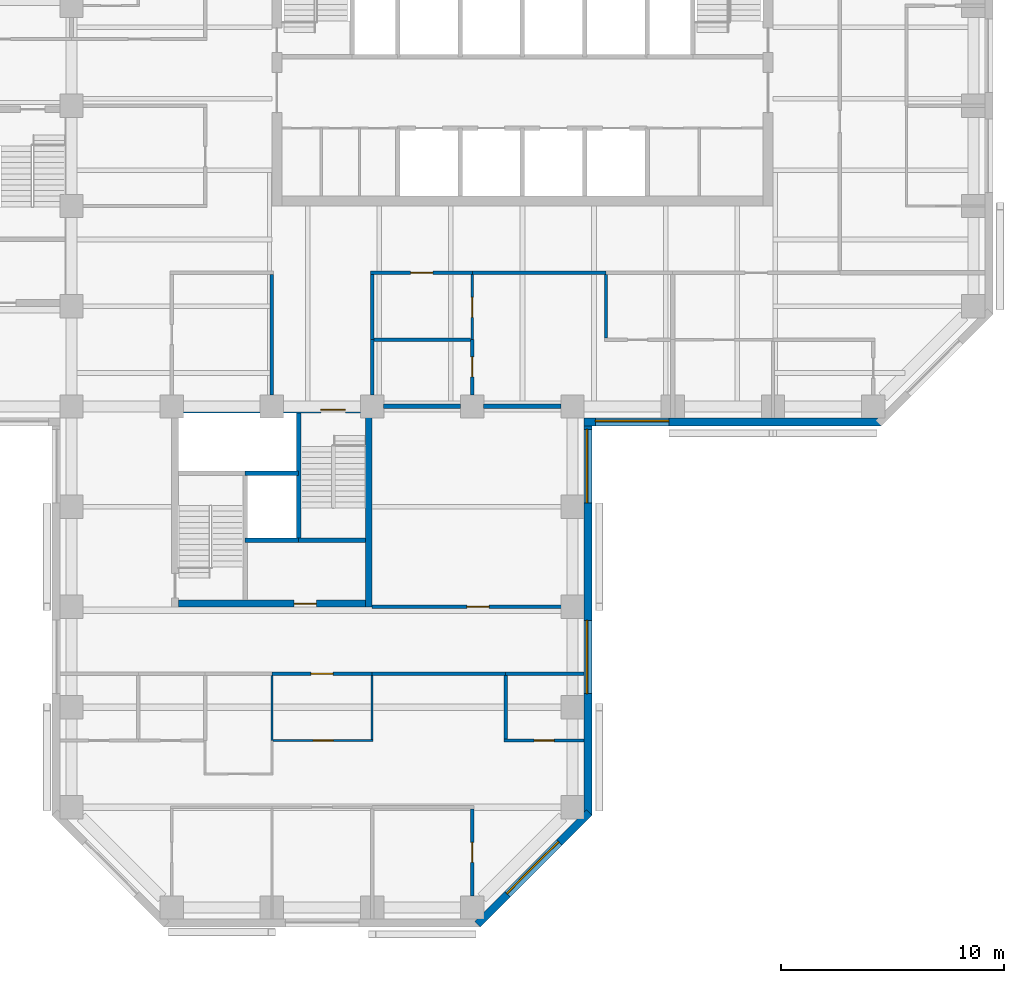
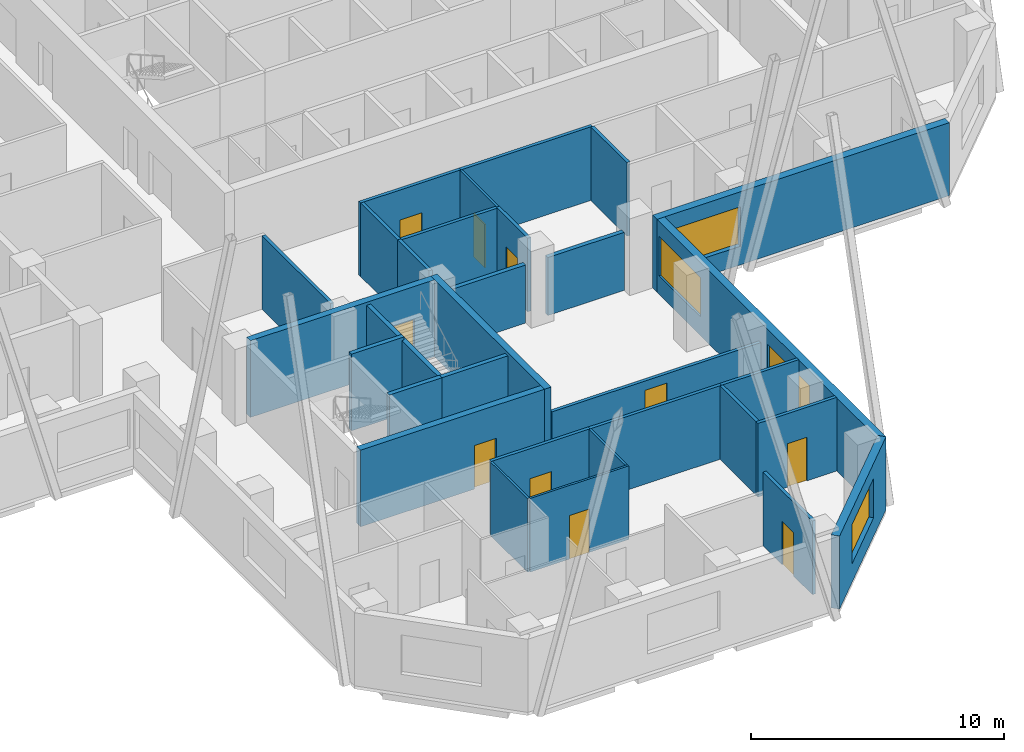
# One storey, part 4 of 11: 31 walls, 10 doors, 4 windows, 14 openings.
"""IFC4 building model written with IfcOpenShell, lengths in metres."""

import ifcopenshell
import ifcopenshell.guid

model = None  # the IFC model being written
_history = None  # IfcOwnerHistory: only IFC2X3 demands one
_inside = {}  # id of a spatial element -> (the spatial element, [elements in it])
_under = {}  # id of a project, library or spatial element -> (it, [spatial elements below it])
_declared = {}  # id of a project -> (the project, [libraries it declares])
_typed = {}  # id of a type object -> (the type object, [elements of that type])
_made_of = {}  # id of a material, layer set ... -> (it, [elements and type objects made of it])


def new_model(schema):
    """Start an empty IFC model of exactly this schema.

    Asked for "IFC4X3", IfcOpenShell would pick the latest addendum, in which some entities
    have other attributes; the version numbers below select the first issue.
    IFC2X3 requires an IfcOwnerHistory on every rooted entity: one is made here for all.
    """
    global model, _history
    if schema == "IFC4X3":
        model = ifcopenshell.file(schema_version=(4, 3, 0, 0))
    else:
        model = ifcopenshell.file(schema=schema)
    _inside.clear()
    _under.clear()
    _declared.clear()
    _typed.clear()
    _made_of.clear()
    _history = None
    if model.schema == "IFC2X3":
        org = make("IfcOrganization", Name="unknown")
        user = make(
            "IfcPersonAndOrganization",
            ThePerson=make("IfcPerson", FamilyName="unknown"),
            TheOrganization=org,
        )
        app = make(
            "IfcApplication",
            ApplicationDeveloper=org,
            Version="unknown",
            ApplicationFullName="unknown",
            ApplicationIdentifier="unknown",
        )
        _history = make(
            "IfcOwnerHistory",
            OwningUser=user,
            OwningApplication=app,
            ChangeAction="ADDED",
            CreationDate=0,
        )
    return model


def make(cls, **values):
    """One entity of the class cls with the attributes given. An attribute that is None is left unset."""
    return model.create_entity(
        cls, **{name: value for name, value in values.items() if value is not None}
    )


def rooted(cls, **values):
    """An entity with a GlobalId (a new one), such as an element, a storey or a relation."""
    return make(cls, GlobalId=ifcopenshell.guid.new(), OwnerHistory=_history, **values)


def si_unit(unit_type, name, prefix=None):
    """IfcSIUnit, for example si_unit("LENGTHUNIT", "METRE", prefix="MILLI")."""
    return make("IfcSIUnit", UnitType=unit_type, Prefix=prefix, Name=name)


def assignment(units):
    """IfcUnitAssignment: the units of a project."""
    return None if units is None else make("IfcUnitAssignment", Units=units)


def point(xyz):
    """IfcCartesianPoint."""
    return None if xyz is None else make("IfcCartesianPoint", Coordinates=xyz)


def direction(xyz):
    """IfcDirection."""
    return None if xyz is None else make("IfcDirection", DirectionRatios=xyz)


def frame(location, z_axis=None, x_axis=None):
    """IfcAxis2Placement3D, a coordinate frame: its origin and axes. An axis left out is left unset."""
    return make(
        "IfcAxis2Placement3D",
        Location=point(location),
        Axis=direction(z_axis),
        RefDirection=direction(x_axis),
    )


def frame_2d(location, x_axis=None):
    """IfcAxis2Placement2D, a coordinate frame in the plane: its origin and x axis."""
    return make(
        "IfcAxis2Placement2D", Location=point(location), RefDirection=direction(x_axis)
    )


def origin():
    """The frame at (0, 0, 0) with its axes left unset."""
    return frame((0.0, 0.0, 0.0))


def place(relative_to, where):
    """IfcLocalPlacement: puts the frame where relative to a parent placement (None: the world)."""
    return make(
        "IfcLocalPlacement", PlacementRelTo=relative_to, RelativePlacement=where
    )


def context(
    kind, dimensions, precision=None, world=None, true_north=None, identifier=None
):
    """IfcGeometricRepresentationContext, for example the 3D "Model" context."""
    return make(
        "IfcGeometricRepresentationContext",
        ContextIdentifier=identifier,
        ContextType=kind,
        CoordinateSpaceDimension=dimensions,
        Precision=precision,
        WorldCoordinateSystem=world,
        TrueNorth=true_north,
    )


def subcontext(parent, identifier, kind, view, scale=None):
    """IfcGeometricRepresentationSubContext, for example "Body" below "Model"."""
    return make(
        "IfcGeometricRepresentationSubContext",
        ContextIdentifier=identifier,
        ContextType=kind,
        ParentContext=parent,
        TargetScale=scale,
        TargetView=view,
    )


def project(units=None, contexts=None):
    """IfcProject with its units and contexts."""
    return rooted(
        "IfcProject",
        Name="project",
        RepresentationContexts=contexts,
        UnitsInContext=assignment(units),
    )


def spatial(cls, under=None, at=None, **own):
    """A site, building, storey or space (cls), placed at a placement, below another one or the project."""
    s = rooted(cls, ObjectPlacement=at, **own)
    if under is not None:
        _under.setdefault(under.id(), (under, []))[1].append(s)
    return s


def profile(cls, at=None, kind="AREA", **sizes):
    """A parametric profile (cls). Its sizes go by their IFC names, for example OverallWidth=200.0."""
    return make(cls, ProfileType=kind, Position=at, **sizes)


def rectangle(**sizes):
    """IfcRectangleProfileDef."""
    return profile("IfcRectangleProfileDef", **sizes)


def extrude(swept, where, along, depth):
    """IfcExtrudedAreaSolid: the profile swept, set in the frame where, extruded along a direction by depth."""
    return make(
        "IfcExtrudedAreaSolid",
        SweptArea=swept,
        Position=where,
        ExtrudedDirection=direction(along),
        Depth=depth,
    )


def shape(context_of_items, identifier, shape_type, items):
    """IfcShapeRepresentation: the items that make up one representation, for example the "Body"."""
    return make(
        "IfcShapeRepresentation",
        ContextOfItems=context_of_items,
        RepresentationIdentifier=identifier,
        RepresentationType=shape_type,
        Items=items,
    )


def material(Name=None, Category=None):
    """IfcMaterial."""
    return make("IfcMaterial", Name=Name, Category=Category)


def layer(
    of_material, thickness, ventilated=None, Name=None, Category=None, Priority=None
):
    """IfcMaterialLayer: one layer of a wall or slab, of a material (None: an air gap)."""
    return make(
        "IfcMaterialLayer",
        Material=of_material,
        LayerThickness=thickness,
        IsVentilated=ventilated,
        Name=Name,
        Category=Category,
        Priority=Priority,
    )


def layer_set(layers, Name=None):
    """IfcMaterialLayerSet."""
    return make("IfcMaterialLayerSet", MaterialLayers=layers, LayerSetName=Name)


def constituent(of_material, Name=None, Category=None, fraction=None):
    """IfcMaterialConstituent: one of the materials an element consists of."""
    return make(
        "IfcMaterialConstituent",
        Name=Name,
        Material=of_material,
        Fraction=fraction,
        Category=Category,
    )


def constituent_set(constituents=None, Name=None):
    """IfcMaterialConstituentSet."""
    return make(
        "IfcMaterialConstituentSet", Name=Name, MaterialConstituents=constituents
    )


def made_of(thing, what):
    """Note that an element or type object is made of a material, layer set ...; save() writes the relation."""
    if what is not None:
        _made_of.setdefault(what.id(), (what, []))[1].append(thing)
    return thing


def type_object(cls, material=None, **own):
    """A type object (cls), such as IfcWallType, which elements share."""
    return made_of(rooted(cls, **own), material)


def element(
    cls,
    number,
    at=None,
    inside=None,
    cuts=None,
    type_object=None,
    material=None,
    context=None,
    identifier="Body",
    shape_type=None,
    held_by="IfcProductDefinitionShape",
    body=None,
    shapes=None,
    **own,
):
    """One element of the class cls, such as IfcWall. Its Tag is "e" and its number.

    at: its placement. inside: the storey or other place that contains it. cuts: it is an
    opening in that element (IfcRelVoidsElement). A single representation is given by context,
    identifier, shape_type and body (its items); several are given by shapes. held_by: the class
    of the entity that holds the representations. save() writes the other relations.
    """
    e = rooted(cls, Tag="e%d" % number, ObjectPlacement=at, **own)
    if body is not None:
        shapes = [shape(context, identifier, shape_type, body)]
    if shapes is not None:
        e.Representation = make(held_by, Representations=shapes)
    if inside is not None:
        _inside.setdefault(inside.id(), (inside, []))[1].append(e)
    if cuts is not None:
        rooted(
            "IfcRelVoidsElement", RelatingBuildingElement=cuts, RelatedOpeningElement=e
        )
    if type_object is not None:
        _typed.setdefault(type_object.id(), (type_object, []))[1].append(e)
    return made_of(e, material)


def fill(opening, filler):
    """IfcRelFillsElement: the door or window that sits in an opening."""
    return rooted(
        "IfcRelFillsElement",
        RelatingOpeningElement=opening,
        RelatedBuildingElement=filler,
    )


def aggregate(whole, parts):
    """IfcRelAggregates: a whole, such as a stair, and the parts it consists of."""
    return rooted("IfcRelAggregates", RelatingObject=whole, RelatedObjects=parts)


def save(model, path):
    """Write the relations noted so far, then the file.

    IfcRelAggregates (storeys below a building ...), IfcRelContainedInSpatialStructure (elements
    in a storey), IfcRelDefinesByType, IfcRelAssociatesMaterial and IfcRelDeclares: one each for
    every whole, place, type object, material and project.
    """
    for whole, parts in _under.values():
        aggregate(whole, parts)
    for where, things in _inside.values():
        rooted(
            "IfcRelContainedInSpatialStructure",
            RelatedElements=things,
            RelatingStructure=where,
        )
    for kind, things in _typed.values():
        rooted("IfcRelDefinesByType", RelatedObjects=things, RelatingType=kind)
    for what, things in _made_of.values():
        rooted("IfcRelAssociatesMaterial", RelatedObjects=things, RelatingMaterial=what)
    for by, libraries in _declared.values():
        rooted("IfcRelDeclares", RelatingContext=by, RelatedDefinitions=libraries)
    model.write(path)


model = new_model("IFC4")

# Units and contexts
model_context = context("Model", 3, precision=1e-05, world=origin(), true_north=direction((0.0, 1.0)))
body_context = subcontext(model_context, "Body", "Model", "MODEL_VIEW")
ifc_project = project(units=[si_unit("LENGTHUNIT", "METRE"), si_unit("AREAUNIT", "SQUARE_METRE"), si_unit("VOLUMEUNIT", "CUBIC_METRE"), si_unit("PLANEANGLEUNIT", "RADIAN"), si_unit("MASSUNIT", "GRAM", prefix="KILO")], contexts=[model_context])

# Site, building, storey
site_placement = place(None, origin())
site = spatial("IfcSite", under=ifc_project, at=site_placement, CompositionType="ELEMENT")
building_placement = place(site_placement, origin())
building = spatial("IfcBuilding", under=site, at=building_placement, Name="Quoin Convention Tower", CompositionType="ELEMENT")
storey_placement = place(building_placement, frame((0.0, 0.0, 127.0)))
storey = spatial("IfcBuildingStorey", under=building, at=storey_placement, Name="L33", CompositionType="ELEMENT", Elevation=127.0)

# Wall
ifc_material_1 = material(Name="Plasterboard")
ifc_layer_1 = layer(ifc_material_1, 0.012451171875, Name="Finish")
ifc_material_2 = material(Name="Steel stud framing", Category="steel")
ifc_layer_2 = layer(ifc_material_2, 0.125, Name="Structure")
ifc_layer_3 = layer(ifc_material_1, 0.012451171875, Name="Finish")
ifc_layer_set_1 = layer_set([ifc_layer_1, ifc_layer_2, ifc_layer_3], Name="Steel stud framing")
wall_type_1 = type_object("IfcWallType", Name="Acoustic partition 150", PredefinedType="PARTITIONING", material=ifc_layer_set_1)
wall_1_placement = place(storey_placement, frame((49.574951171875, 43.5, 0.0), z_axis=(0.0, 0.0, 1.0), x_axis=(1.0, 0.0, 0.0)))
element("IfcWall", 1, at=wall_1_placement, inside=storey, type_object=wall_type_1, Name="pw-L33-019", PredefinedType="PARTITIONING", context=body_context, shape_type="SweptSolid", body=[
    extrude(rectangle(XDim=4.35009765625, YDim=0.14990234375, at=frame_2d((2.175048828125, 0.0))), origin(), (0.0, 0.0, 1.0), 3.550048828125),
])

# Wall, opening, door
wall_2_placement = place(storey_placement, frame((54.0, 18.52490234375, 0.0), z_axis=(0.0, 0.0, 1.0), x_axis=(0.0, 1.0, 0.0)))
wall_2 = element("IfcWall", 2, at=wall_2_placement, inside=storey, type_object=wall_type_1, Name="pw-L33-061", PredefinedType="PARTITIONING", context=body_context, shape_type="SweptSolid", body=[
    extrude(rectangle(XDim=3.900146484375, YDim=0.14990234375, at=frame_2d((1.9501953125, 0.0))), origin(), (0.0, 0.0, 1.0), 3.550048828125),
])
opening_1_placement = place(wall_2_placement, frame((1.5, 0.0, 0.0)))
opening_1 = element("IfcOpeningElement", 3, at=opening_1_placement, cuts=wall_2, Name="Opening DOL7-26", PredefinedType="OPENING", context=body_context, shape_type="SweptSolid", body=[
    extrude(rectangle(XDim=0.89990234375, YDim=2.10009765625, at=frame_2d((0.449951171875, 1.050048828125))), frame((0.0, 0.0849609375, 0.0), z_axis=(0.0, -1.0, 0.0), x_axis=(1.0, 0.0, 0.0)), (0.0, 0.0, 1.0), 0.169921875),
])
ifc_material_3 = material(Name="Steel door leaf", Category="steel")
door_type_1 = type_object("IfcDoorType", Name="Office door 900 x 2100", OperationType="SINGLE_SWING_RIGHT", PredefinedType="DOOR", material=ifc_material_3)
door_1_placement = place(opening_1_placement, frame((0.89990234375, 0.0, 0.0), z_axis=(0.0, 0.0, 1.0), x_axis=(-1.0, 0.0, 0.0)))
door_1 = element("IfcDoor", 4, at=door_1_placement, inside=storey, type_object=door_type_1, Name="dr-L33-14", OperationType="SINGLE_SWING_LEFT", OverallHeight=2.10009765625, OverallWidth=0.89990234375, PredefinedType="DOOR", context=body_context, shape_type="SweptSolid", body=[
    extrude(rectangle(XDim=0.89990234375, YDim=2.10009765625, at=frame_2d((0.449951171875, 1.050048828125))), frame((0.0, 0.02490234375, 0.0), z_axis=(0.0, -1.0, 0.0), x_axis=(1.0, 0.0, 0.0)), (0.0, 0.0, 1.0), 0.050048828125),
])
fill(opening_1, door_1)

wall_3_placement = place(storey_placement, frame((54.0, 41.02490234375, 0.0), z_axis=(0.0, 0.0, 1.0), x_axis=(0.0, 1.0, 0.0)))
wall_3 = element("IfcWall", 5, at=wall_3_placement, inside=storey, type_object=wall_type_1, Name="pw-L33-076", PredefinedType="PARTITIONING", context=body_context, shape_type="SweptSolid", body=[
    extrude(rectangle(XDim=2.47509765625, YDim=0.14990234375, at=frame_2d((1.237548828125, 0.0))), origin(), (0.0, 0.0, 1.0), 3.550048828125),
])
opening_2_placement = place(wall_3_placement, frame((0.800048828125, 0.0, 0.0)))
opening_2 = element("IfcOpeningElement", 6, at=opening_2_placement, cuts=wall_3, Name="Opening DOL7-28", PredefinedType="OPENING", context=body_context, shape_type="SweptSolid", body=[
    extrude(rectangle(XDim=0.89990234375, YDim=2.10009765625, at=frame_2d((0.449951171875, 1.050048828125))), frame((0.0, 0.0849609375, 0.0), z_axis=(0.0, -1.0, 0.0), x_axis=(1.0, 0.0, 0.0)), (0.0, 0.0, 1.0), 0.169921875),
])
door_2_placement = place(opening_2_placement, frame((0.89990234375, 0.0, 0.0), z_axis=(0.0, 0.0, 1.0), x_axis=(-1.0, 0.0, 0.0)))
door_2 = element("IfcDoor", 7, at=door_2_placement, inside=storey, type_object=door_type_1, Name="dr-L33-21", OperationType="SINGLE_SWING_LEFT", OverallHeight=2.10009765625, OverallWidth=0.89990234375, PredefinedType="DOOR", context=body_context, shape_type="SweptSolid", body=[
    extrude(rectangle(XDim=0.89990234375, YDim=2.10009765625, at=frame_2d((0.449951171875, 1.050048828125))), frame((0.0, 0.02490234375, 0.0), z_axis=(0.0, -1.0, 0.0), x_axis=(1.0, 0.0, 0.0)), (0.0, 0.0, 1.0), 0.050048828125),
])
fill(opening_2, door_2)

# Wall, opening, window
ifc_material_4 = material(Name="Brick masonry", Category="masonry")
ifc_layer_4 = layer(ifc_material_4, 0.35009765625)
ifc_layer_set_2 = layer_set([ifc_layer_4], Name="Brick masonry")
wall_type_2 = type_object("IfcWallType", Name="Brick facade wall", PredefinedType="STANDARD", material=ifc_layer_set_2)
wall_4_placement = place(storey_placement, frame((59.02490234375, 39.800048828125, 0.0), z_axis=(0.0, 0.0, 1.0), x_axis=(1.0, 0.0, 0.0)))
wall_4 = element("IfcWall", 8, at=wall_4_placement, inside=storey, type_object=wall_type_2, Name="fw-L33-58500_40500", PredefinedType="STANDARD", context=body_context, shape_type="SweptSolid", body=[
    extrude(rectangle(XDim=13.33740234375, YDim=0.35009765625, at=frame_2d((6.668701171875, 0.0))), origin(), (0.0, 0.0, 1.0), 3.52490234375),
])
opening_3_placement = place(wall_4_placement, frame((0.5, 0.0, 0.89990234375)))
opening_3 = element("IfcOpeningElement", 9, at=opening_3_placement, cuts=wall_4, Name="Opening W-02", PredefinedType="OPENING", context=body_context, shape_type="SweptSolid", body=[
    extrude(rectangle(XDim=3.300048828125, YDim=1.89990234375, at=frame_2d((1.64990234375, 0.949951171875))), frame((0.0, 0.18505859375, 0.0), z_axis=(0.0, -1.0, 0.0), x_axis=(1.0, 0.0, 0.0)), (0.0, 0.0, 1.0), 0.3701171875),
])
ifc_material_5 = material(Name="Aluminium", Category="aluminium")
ifc_constituent_1 = constituent(ifc_material_5, Name="Frame")
ifc_material_6 = material(Name="Insulated glass", Category="glass")
ifc_constituent_2 = constituent(ifc_material_6, Name="Glazing")
ifc_constituent_set = constituent_set(constituents=[ifc_constituent_1, ifc_constituent_2], Name="Aluminium")
window_type = type_object("IfcWindowType", Name="Office window", PartitioningType="DOUBLE_PANEL_VERTICAL", PredefinedType="WINDOW", material=ifc_constituent_set)
window_1_placement = place(opening_3_placement, origin())
window_1 = element("IfcWindow", 10, at=window_1_placement, inside=storey, type_object=window_type, Name="win-L33-60750_39800", OverallHeight=1.89990234375, OverallWidth=3.300048828125, PartitioningType="SINGLE_PANEL", PredefinedType="WINDOW", context=body_context, shape_type="SweptSolid", body=[
    extrude(rectangle(XDim=3.300048828125, YDim=1.89990234375, at=frame_2d((1.64990234375, 0.949951171875))), frame((0.0, 0.0849609375, 0.0), z_axis=(0.0, -1.0, 0.0), x_axis=(1.0, 0.0, 0.0)), (0.0, 0.0, 1.0), 0.06005859375),
])
fill(opening_3, window_1)

wall_5_placement = place(storey_placement, frame((54.23876953125, 17.248779296875, 0.0), z_axis=(0.0, 0.0, 1.0), x_axis=(0.707106781187, 0.707106781187, 0.0)))
wall_5 = element("IfcWall", 11, at=wall_5_placement, inside=storey, type_object=wall_type_2, Name="fw-L33-54000_18000", PredefinedType="STANDARD", context=body_context, shape_type="SweptSolid", body=[
    extrude(rectangle(XDim=7.088623046875, YDim=0.35009765625, at=frame_2d((3.54443359375, 0.0))), origin(), (0.0, 0.0, 1.0), 3.52490234375),
])
opening_4_placement = place(wall_5_placement, frame((1.894287109375, 0.0, 0.89990234375)))
opening_4 = element("IfcOpeningElement", 12, at=opening_4_placement, cuts=wall_5, Name="Opening W-02", PredefinedType="OPENING", context=body_context, shape_type="SweptSolid", body=[
    extrude(rectangle(XDim=3.300048828125, YDim=1.89990234375, at=frame_2d((1.64990234375, 0.949951171875))), frame((0.0, 0.18505859375, 0.0), z_axis=(0.0, -1.0, 0.0), x_axis=(1.0, 0.0, 0.0)), (0.0, 0.0, 1.0), 0.3701171875),
])
window_2_placement = place(opening_4_placement, origin())
window_2 = element("IfcWindow", 13, at=window_2_placement, inside=storey, type_object=window_type, Name="win-L33-56745_19755", OverallHeight=1.89990234375, OverallWidth=3.300048828125, PartitioningType="SINGLE_PANEL", PredefinedType="WINDOW", context=body_context, shape_type="SweptSolid", body=[
    extrude(rectangle(XDim=3.300048828125, YDim=1.89990234375, at=frame_2d((1.64990234375, 0.949951171875))), frame((0.0, 0.0849609375, 0.0), z_axis=(0.0, -1.0, 0.0), x_axis=(1.0, 0.0, 0.0)), (0.0, 0.0, 1.0), 0.06005859375),
])
fill(opening_4, window_2)

# Wall, openings, windows
wall_6_placement = place(storey_placement, frame((59.199951171875, 22.1376953125, 0.0), z_axis=(0.0, 0.0, 1.0), x_axis=(0.0, 1.0, 0.0)))
wall_6 = element("IfcWall", 14, at=wall_6_placement, inside=storey, type_object=wall_type_2, Name="fw-L33-58500_22500", PredefinedType="STANDARD", context=body_context, shape_type="SweptSolid", body=[
    extrude(rectangle(XDim=17.83740234375, YDim=0.35009765625, at=frame_2d((8.918701171875, 0.0))), origin(), (0.0, 0.0, 1.0), 3.52490234375),
])
opening_5_placement = place(wall_6_placement, frame((5.46240234375, 0.0, 0.89990234375)))
opening_5 = element("IfcOpeningElement", 15, at=opening_5_placement, cuts=wall_6, Name="Opening W-02", PredefinedType="OPENING", context=body_context, shape_type="SweptSolid", body=[
    extrude(rectangle(XDim=3.300048828125, YDim=1.89990234375, at=frame_2d((1.64990234375, 0.949951171875))), frame((0.0, 0.18505859375, 0.0), z_axis=(0.0, -1.0, 0.0), x_axis=(1.0, 0.0, 0.0)), (0.0, 0.0, 1.0), 0.3701171875),
])
opening_6_placement = place(wall_6_placement, frame((14.037353515625, 0.0, 0.89990234375)))
opening_6 = element("IfcOpeningElement", 16, at=opening_6_placement, cuts=wall_6, Name="Opening W-02", PredefinedType="OPENING", context=body_context, shape_type="SweptSolid", body=[
    extrude(rectangle(XDim=3.300048828125, YDim=1.89990234375, at=frame_2d((1.64990234375, 0.949951171875))), frame((0.0, 0.18505859375, 0.0), z_axis=(0.0, -1.0, 0.0), x_axis=(1.0, 0.0, 0.0)), (0.0, 0.0, 1.0), 0.3701171875),
])
window_3_placement = place(opening_5_placement, origin())
window_3 = element("IfcWindow", 17, at=window_3_placement, inside=storey, type_object=window_type, Name="win-L33-59200_29250", OverallHeight=1.89990234375, OverallWidth=3.300048828125, PartitioningType="SINGLE_PANEL", PredefinedType="WINDOW", context=body_context, shape_type="SweptSolid", body=[
    extrude(rectangle(XDim=3.300048828125, YDim=1.89990234375, at=frame_2d((1.64990234375, 0.949951171875))), frame((0.0, 0.0849609375, 0.0), z_axis=(0.0, -1.0, 0.0), x_axis=(1.0, 0.0, 0.0)), (0.0, 0.0, 1.0), 0.06005859375),
])
fill(opening_5, window_3)
window_4_placement = place(opening_6_placement, origin())
window_4 = element("IfcWindow", 18, at=window_4_placement, inside=storey, type_object=window_type, Name="win-L33-59200_38250", OverallHeight=1.89990234375, OverallWidth=3.300048828125, PartitioningType="SINGLE_PANEL", PredefinedType="WINDOW", context=body_context, shape_type="SweptSolid", body=[
    extrude(rectangle(XDim=3.300048828125, YDim=1.89990234375, at=frame_2d((1.64990234375, 0.949951171875))), frame((0.0, 0.0849609375, 0.0), z_axis=(0.0, -1.0, 0.0), x_axis=(1.0, 0.0, 0.0)), (0.0, 0.0, 1.0), 0.06005859375),
])
fill(opening_6, window_4)

# Walls
ifc_material_7 = material(Name="Concrete C50", Category="concrete")
ifc_layer_5 = layer(ifc_material_7, 0.199951171875)
ifc_layer_set_3 = layer_set([ifc_layer_5], Name="Concrete C50")
wall_type_3 = type_object("IfcWallType", Name="Core shaft wall", PredefinedType="SOLIDWALL", material=ifc_layer_set_3)
wall_7_placement = place(storey_placement, frame((43.800048828125, 34.5, 0.0), z_axis=(0.0, 0.0, 1.0), x_axis=(1.0, 0.0, 0.0)))
element("IfcWall", 19, at=wall_7_placement, inside=storey, type_object=wall_type_3, Name="cr-P3-L33-h3000_3300", PredefinedType="SOLIDWALL", context=body_context, shape_type="SweptSolid", body=[
    extrude(rectangle(XDim=2.39990234375, YDim=0.199951171875, at=frame_2d((1.199951171875, 0.0))), origin(), (0.0, 0.0, 1.0), 3.550048828125),
])
wall_8_placement = place(storey_placement, frame((46.199951171875, 34.5, 0.0), z_axis=(0.0, 0.0, 1.0), x_axis=(1.0, 0.0, 0.0)))
element("IfcWall", 20, at=wall_8_placement, inside=storey, type_object=wall_type_3, Name="cr-P3-L33-h3000_5700", PredefinedType="SOLIDWALL", context=body_context, shape_type="SweptSolid", body=[
    extrude(rectangle(XDim=3.0, YDim=0.199951171875, at=frame_2d((1.5, 0.0))), origin(), (0.0, 0.0, 1.0), 3.550048828125),
])
wall_9_placement = place(storey_placement, frame((46.199951171875, 34.5, 0.0), z_axis=(0.0, 0.0, 1.0), x_axis=(0.0, 1.0, 0.0)))
element("IfcWall", 21, at=wall_9_placement, inside=storey, type_object=wall_type_3, Name="cr-P3-L33-v5700_3000", PredefinedType="SOLIDWALL", context=body_context, shape_type="SweptSolid", body=[
    extrude(rectangle(XDim=5.699951171875, YDim=0.199951171875, at=frame_2d((2.85009765625, 0.0))), origin(), (0.0, 0.0, 1.0), 3.550048828125),
])
ifc_layer_6 = layer(ifc_material_7, 0.199951171875)
ifc_layer_set_4 = layer_set([ifc_layer_6], Name="Concrete C50")
wall_type_4 = type_object("IfcWallType", Name="Core shaft wall to the floor level over", PredefinedType="SOLIDWALL", material=ifc_layer_set_4)
wall_10_placement = place(storey_placement, frame((43.800048828125, 37.5, 0.0), z_axis=(0.0, 0.0, 1.0), x_axis=(1.0, 0.0, 0.0)))
element("IfcWall", 22, at=wall_10_placement, inside=storey, type_object=wall_type_4, Name="cr-P3-L33-h6000_3300", PredefinedType="SOLIDWALL", context=body_context, shape_type="SweptSolid", body=[
    extrude(rectangle(XDim=2.39990234375, YDim=0.199951171875, at=frame_2d((1.199951171875, 0.0))), origin(), (0.0, 0.0, 1.0), 3.699951171875),
])

# Wall, opening, door
ifc_layer_7 = layer(ifc_material_1, 0.012451171875, Name="Finish")
ifc_layer_8 = layer(ifc_material_2, 0.125, Name="Structure")
ifc_layer_9 = layer(ifc_material_1, 0.012451171875, Name="Finish")
ifc_layer_set_5 = layer_set([ifc_layer_7, ifc_layer_8, ifc_layer_9], Name="Steel stud framing")
wall_type_5 = type_object("IfcWallType", Name="Corridor wall 150", PredefinedType="PARTITIONING", material=ifc_layer_set_5)
wall_11_placement = place(storey_placement, frame((45.0, 28.5, 0.0), z_axis=(0.0, 0.0, 1.0), x_axis=(1.0, 0.0, 0.0)))
wall_11 = element("IfcWall", 23, at=wall_11_placement, inside=storey, type_object=wall_type_5, Name="pw-L33-012", PredefinedType="PARTITIONING", context=body_context, shape_type="SweptSolid", body=[
    extrude(rectangle(XDim=4.5, YDim=0.14990234375, at=frame_2d((2.25, 0.0))), origin(), (0.0, 0.0, 1.0), 3.550048828125),
])
opening_7_placement = place(wall_11_placement, frame((1.75, 0.0, 0.0)))
opening_7 = element("IfcOpeningElement", 24, at=opening_7_placement, cuts=wall_11, Name="Opening DOL7-07", PredefinedType="OPENING", context=body_context, shape_type="SweptSolid", body=[
    extrude(rectangle(XDim=1.0, YDim=2.10009765625, at=frame_2d((0.5, 1.050048828125))), frame((0.0, 0.0849609375, 0.0), z_axis=(0.0, -1.0, 0.0), x_axis=(1.0, 0.0, 0.0)), (0.0, 0.0, 1.0), 0.169921875),
])
door_type_2 = type_object("IfcDoorType", Name="Tenancy entrance door 1000 x 2100", OperationType="DOUBLE_DOOR_SINGLE_SWING", PredefinedType="DOOR", material=ifc_material_3)
door_3_placement = place(opening_7_placement, frame((1.0, 0.0, 0.0), z_axis=(0.0, 0.0, 1.0), x_axis=(-1.0, 0.0, 0.0)))
door_3 = element("IfcDoor", 25, at=door_3_placement, inside=storey, type_object=door_type_2, Name="dr-L33-08", OperationType="DOUBLE_DOOR_SINGLE_SWING", OverallHeight=2.10009765625, OverallWidth=1.0, PredefinedType="DOOR", context=body_context, shape_type="SweptSolid", body=[
    extrude(rectangle(XDim=1.0, YDim=2.10009765625, at=frame_2d((0.5, 1.050048828125))), frame((0.0, 0.02490234375, 0.0), z_axis=(0.0, -1.0, 0.0), x_axis=(1.0, 0.0, 0.0)), (0.0, 0.0, 1.0), 0.050048828125),
])
fill(opening_7, door_3)

# Walls
wall_12_placement = place(storey_placement, frame((49.5, 28.5, 0.0), z_axis=(0.0, 0.0, 1.0), x_axis=(1.0, 0.0, 0.0)))
element("IfcWall", 26, at=wall_12_placement, inside=storey, type_object=wall_type_5, Name="pw-L33-013", PredefinedType="PARTITIONING", context=body_context, shape_type="SweptSolid", body=[
    extrude(rectangle(XDim=6.0, YDim=0.14990234375, at=frame_2d((3.0, 0.0))), origin(), (0.0, 0.0, 1.0), 3.550048828125),
])
wall_13_placement = place(storey_placement, frame((55.5, 28.5, 0.0), z_axis=(0.0, 0.0, 1.0), x_axis=(1.0, 0.0, 0.0)))
element("IfcWall", 27, at=wall_13_placement, inside=storey, type_object=wall_type_5, Name="pw-L33-014", PredefinedType="PARTITIONING", context=body_context, shape_type="SweptSolid", body=[
    extrude(rectangle(XDim=3.52490234375, YDim=0.14990234375, at=frame_2d((1.762451171875, 0.0))), origin(), (0.0, 0.0, 1.0), 3.550048828125),
])

# Wall, opening, door
wall_14_placement = place(storey_placement, frame((49.425048828125, 46.5, 0.0), z_axis=(0.0, 0.0, 1.0), x_axis=(1.0, 0.0, 0.0)))
wall_14 = element("IfcWall", 28, at=wall_14_placement, inside=storey, type_object=wall_type_5, Name="pw-L33-024", PredefinedType="PARTITIONING", context=body_context, shape_type="SweptSolid", body=[
    extrude(rectangle(XDim=4.574951171875, YDim=0.14990234375, at=frame_2d((2.28759765625, 0.0))), origin(), (0.0, 0.0, 1.0), 3.550048828125),
])
opening_8_placement = place(wall_14_placement, frame((1.800048828125, 0.0, 0.0)))
opening_8 = element("IfcOpeningElement", 29, at=opening_8_placement, cuts=wall_14, Name="Opening DOL7-11", PredefinedType="OPENING", context=body_context, shape_type="SweptSolid", body=[
    extrude(rectangle(XDim=1.0, YDim=2.10009765625, at=frame_2d((0.5, 1.050048828125))), frame((0.0, 0.0849609375, 0.0), z_axis=(0.0, -1.0, 0.0), x_axis=(1.0, 0.0, 0.0)), (0.0, 0.0, 1.0), 0.169921875),
])
door_4_placement = place(opening_8_placement, origin())
door_4 = element("IfcDoor", 30, at=door_4_placement, inside=storey, type_object=door_type_2, Name="dr-L33-18", OperationType="DOUBLE_DOOR_SINGLE_SWING", OverallHeight=2.10009765625, OverallWidth=1.0, PredefinedType="DOOR", context=body_context, shape_type="SweptSolid", body=[
    extrude(rectangle(XDim=1.0, YDim=2.10009765625, at=frame_2d((0.5, 1.050048828125))), frame((0.0, 0.02490234375, 0.0), z_axis=(0.0, -1.0, 0.0), x_axis=(1.0, 0.0, 0.0)), (0.0, 0.0, 1.0), 0.050048828125),
])
fill(opening_8, door_4)

# Walls
wall_15_placement = place(storey_placement, frame((54.0, 46.5, 0.0), z_axis=(0.0, 0.0, 1.0), x_axis=(1.0, 0.0, 0.0)))
element("IfcWall", 31, at=wall_15_placement, inside=storey, type_object=wall_type_5, Name="pw-L33-025", PredefinedType="PARTITIONING", context=body_context, shape_type="SweptSolid", body=[
    extrude(rectangle(XDim=6.0, YDim=0.14990234375, at=frame_2d((3.0, 0.0))), origin(), (0.0, 0.0, 1.0), 3.550048828125),
])
wall_16_placement = place(storey_placement, frame((45.0, 41.02490234375, 0.0), z_axis=(0.0, 0.0, 1.0), x_axis=(0.0, 1.0, 0.0)))
element("IfcWall", 32, at=wall_16_placement, inside=storey, type_object=wall_type_5, Name="pw-L33-074", PredefinedType="PARTITIONING", context=body_context, shape_type="SweptSolid", body=[
    extrude(rectangle(XDim=5.400146484375, YDim=0.14990234375, at=frame_2d((2.7001953125, 0.0))), origin(), (0.0, 0.0, 1.0), 3.550048828125),
])
wall_17_placement = place(storey_placement, frame((49.5, 41.02490234375, 0.0), z_axis=(0.0, 0.0, 1.0), x_axis=(0.0, 1.0, 0.0)))
element("IfcWall", 33, at=wall_17_placement, inside=storey, type_object=wall_type_5, Name="pw-L33-075", PredefinedType="PARTITIONING", context=body_context, shape_type="SweptSolid", body=[
    extrude(rectangle(XDim=2.47509765625, YDim=0.14990234375, at=frame_2d((1.237548828125, 0.0))), origin(), (0.0, 0.0, 1.0), 3.550048828125),
])
wall_18_placement = place(storey_placement, frame((49.5, 43.5, 0.0), z_axis=(0.0, 0.0, 1.0), x_axis=(0.0, 1.0, 0.0)))
element("IfcWall", 34, at=wall_18_placement, inside=storey, type_object=wall_type_5, Name="pw-L33-079", PredefinedType="PARTITIONING", context=body_context, shape_type="SweptSolid", body=[
    extrude(rectangle(XDim=2.925048828125, YDim=0.14990234375, at=frame_2d((1.46240234375, 0.0))), origin(), (0.0, 0.0, 1.0), 3.550048828125),
])

# Wall, opening, door
ifc_layer_10 = layer(ifc_material_1, 0.012451171875, Name="Finish")
ifc_layer_11 = layer(ifc_material_2, 0.125, Name="Structure")
ifc_layer_12 = layer(ifc_material_1, 0.012451171875, Name="Finish")
ifc_layer_set_6 = layer_set([ifc_layer_10, ifc_layer_11, ifc_layer_12], Name="Steel stud framing")
wall_type_6 = type_object("IfcWallType", Name="Corridor wall 150 under beam 1000", PredefinedType="PARTITIONING", material=ifc_layer_set_6)
wall_19_placement = place(storey_placement, frame((49.5, 31.5, 0.0), z_axis=(0.0, 0.0, 1.0), x_axis=(1.0, 0.0, 0.0)))
wall_19 = element("IfcWall", 35, at=wall_19_placement, inside=storey, type_object=wall_type_6, Name="pw-L33-015", PredefinedType="PARTITIONING", context=body_context, shape_type="SweptSolid", body=[
    extrude(rectangle(XDim=9.52490234375, YDim=0.14990234375, at=frame_2d((4.762451171875, 0.0))), origin(), (0.0, 0.0, 1.0), 2.550048828125),
])
opening_9_placement = place(wall_19_placement, frame((4.25, 0.0, 0.0)))
opening_9 = element("IfcOpeningElement", 36, at=opening_9_placement, cuts=wall_19, Name="Opening DOL7-08", PredefinedType="OPENING", context=body_context, shape_type="SweptSolid", body=[
    extrude(rectangle(XDim=1.0, YDim=2.10009765625, at=frame_2d((0.5, 1.050048828125))), frame((0.0, 0.0849609375, 0.0), z_axis=(0.0, -1.0, 0.0), x_axis=(1.0, 0.0, 0.0)), (0.0, 0.0, 1.0), 0.169921875),
])
door_5_placement = place(opening_9_placement, origin())
door_5 = element("IfcDoor", 37, at=door_5_placement, inside=storey, type_object=door_type_2, Name="dr-L33-17", OperationType="DOUBLE_DOOR_SINGLE_SWING", OverallHeight=2.10009765625, OverallWidth=1.0, PredefinedType="DOOR", context=body_context, shape_type="SweptSolid", body=[
    extrude(rectangle(XDim=1.0, YDim=2.10009765625, at=frame_2d((0.5, 1.050048828125))), frame((0.0, 0.02490234375, 0.0), z_axis=(0.0, -1.0, 0.0), x_axis=(1.0, 0.0, 0.0)), (0.0, 0.0, 1.0), 0.050048828125),
])
fill(opening_9, door_5)

ifc_material_8 = material(Name="Concrete C65", Category="concrete")
ifc_layer_13 = layer(ifc_material_8, 0.300048828125)
ifc_layer_set_7 = layer_set([ifc_layer_13], Name="Concrete C65")
wall_type_7 = type_object("IfcWallType", Name="RC CORE WALL 300 C65", PredefinedType="SHEAR", material=ifc_layer_set_7)
wall_20_placement = place(storey_placement, frame((40.800048828125, 31.64990234375, 0.0), z_axis=(0.0, 0.0, 1.0), x_axis=(1.0, 0.0, 0.0)))
wall_20 = element("IfcWall", 38, at=wall_20_placement, inside=storey, type_object=wall_type_7, Name="cwl-P3-L33-S", PredefinedType="SHEAR", context=body_context, shape_type="SweptSolid", body=[
    extrude(rectangle(XDim=8.39990234375, YDim=0.300048828125, at=frame_2d((4.199951171875, 0.0))), origin(), (0.0, 0.0, 1.0), 3.699951171875),
])
opening_10_placement = place(wall_20_placement, frame((5.199951171875, 0.0, 0.0)))
opening_10 = element("IfcOpeningElement", 39, at=opening_10_placement, cuts=wall_20, Name="Opening DCV5-52", PredefinedType="OPENING", context=body_context, shape_type="SweptSolid", body=[
    extrude(rectangle(XDim=1.0, YDim=2.10009765625, at=frame_2d((0.5, 1.050048828125))), frame((0.0, 0.159912109375, 0.0), z_axis=(0.0, -1.0, 0.0), x_axis=(1.0, 0.0, 0.0)), (0.0, 0.0, 1.0), 0.320068359375),
])
door_type_3 = type_object("IfcDoorType", Name="Service door 1000 x 2100", OperationType="SINGLE_SWING_LEFT", PredefinedType="DOOR", material=ifc_material_3)
door_6_placement = place(opening_10_placement, origin())
door_6 = element("IfcDoor", 40, at=door_6_placement, inside=storey, type_object=door_type_3, Name="cd-P3-L33-R2-S", OperationType="SINGLE_SWING_LEFT", OverallHeight=2.10009765625, OverallWidth=1.0, PredefinedType="DOOR", context=body_context, shape_type="SweptSolid", body=[
    extrude(rectangle(XDim=1.0, YDim=2.10009765625, at=frame_2d((0.5, 1.050048828125))), frame((0.0, 0.02490234375, 0.0), z_axis=(0.0, -1.0, 0.0), x_axis=(1.0, 0.0, 0.0)), (0.0, 0.0, 1.0), 0.050048828125),
])
fill(opening_10, door_6)

wall_21_placement = place(storey_placement, frame((40.800048828125, 40.35009765625, 0.0), z_axis=(0.0, 0.0, 1.0), x_axis=(1.0, 0.0, 0.0)))
wall_21 = element("IfcWall", 41, at=wall_21_placement, inside=storey, type_object=wall_type_7, Name="cwl-P3-L33-N", PredefinedType="SHEAR", context=body_context, shape_type="SweptSolid", body=[
    extrude(rectangle(XDim=8.39990234375, YDim=0.300048828125, at=frame_2d((4.199951171875, 0.0))), origin(), (0.0, 0.0, 1.0), 3.699951171875),
])
opening_11_placement = place(wall_21_placement, frame((6.39990234375, 0.0, 0.0)))
opening_11 = element("IfcOpeningElement", 42, at=opening_11_placement, cuts=wall_21, Name="Opening SD6", PredefinedType="OPENING", context=body_context, shape_type="SweptSolid", body=[
    extrude(rectangle(XDim=1.10009765625, YDim=2.10009765625, at=frame_2d((0.550048828125, 1.050048828125))), frame((0.0, 0.159912109375, 0.0), z_axis=(0.0, -1.0, 0.0), x_axis=(1.0, 0.0, 0.0)), (0.0, 0.0, 1.0), 0.320068359375),
])
door_type_4 = type_object("IfcDoorType", Name="Stair door 1100 x 2100", OperationType="SINGLE_SWING_RIGHT", PredefinedType="DOOR", material=ifc_material_3)
door_7_placement = place(opening_11_placement, frame((1.10009765625, 0.0, 0.0), z_axis=(0.0, 0.0, 1.0), x_axis=(-1.0, 0.0, 0.0)))
door_7 = element("IfcDoor", 43, at=door_7_placement, inside=storey, type_object=door_type_4, Name="cd-P3-L33-SB-N", OperationType="SINGLE_SWING_LEFT", OverallHeight=2.10009765625, OverallWidth=1.10009765625, PredefinedType="DOOR", context=body_context, shape_type="SweptSolid", body=[
    extrude(rectangle(XDim=1.10009765625, YDim=2.10009765625, at=frame_2d((0.550048828125, 1.050048828125))), frame((0.0, 0.02490234375, 0.0), z_axis=(0.0, -1.0, 0.0), x_axis=(1.0, 0.0, 0.0)), (0.0, 0.0, 1.0), 0.050048828125),
])
fill(opening_11, door_7)

# Wall
wall_22_placement = place(storey_placement, frame((49.35009765625, 31.5, 0.0), z_axis=(0.0, 0.0, 1.0), x_axis=(0.0, 1.0, 0.0)))
element("IfcWall", 44, at=wall_22_placement, inside=storey, type_object=wall_type_7, Name="cwl-P3-L33-E", PredefinedType="SHEAR", context=body_context, shape_type="SweptSolid", body=[
    extrude(rectangle(XDim=9.0, YDim=0.300048828125, at=frame_2d((4.5, 0.0))), origin(), (0.0, 0.0, 1.0), 3.699951171875),
])

# Wall, opening, door
ifc_layer_14 = layer(ifc_material_1, 0.012451171875, Name="Finish")
ifc_layer_15 = layer(ifc_material_2, 0.074951171875, Name="Structure")
ifc_layer_16 = layer(ifc_material_1, 0.012451171875, Name="Finish")
ifc_layer_set_8 = layer_set([ifc_layer_14, ifc_layer_15, ifc_layer_16], Name="Steel stud framing")
wall_type_8 = type_object("IfcWallType", Name="Stud partition 100", PredefinedType="PARTITIONING", material=ifc_layer_set_8)
wall_23_placement = place(storey_placement, frame((45.050048828125, 25.5, 0.0), z_axis=(0.0, 0.0, 1.0), x_axis=(1.0, 0.0, 0.0)))
wall_23 = element("IfcWall", 45, at=wall_23_placement, inside=storey, type_object=wall_type_8, Name="pw-L33-007", PredefinedType="PARTITIONING", context=body_context, shape_type="SweptSolid", body=[
    extrude(rectangle(XDim=4.5, YDim=0.10009765625, at=frame_2d((2.25, 0.0))), origin(), (0.0, 0.0, 1.0), 3.550048828125),
])
opening_12_placement = place(wall_23_placement, frame((1.800048828125, 0.0, 0.0)))
opening_12 = element("IfcOpeningElement", 46, at=opening_12_placement, cuts=wall_23, Name="Opening DOL7-05", PredefinedType="OPENING", context=body_context, shape_type="SweptSolid", body=[
    extrude(rectangle(XDim=0.89990234375, YDim=2.10009765625, at=frame_2d((0.449951171875, 1.050048828125))), frame((0.0, 0.06005859375, 0.0), z_axis=(0.0, -1.0, 0.0), x_axis=(1.0, 0.0, 0.0)), (0.0, 0.0, 1.0), 0.1201171875),
])
door_8_placement = place(opening_12_placement, frame((0.89990234375, 0.0, 0.0), z_axis=(0.0, 0.0, 1.0), x_axis=(-1.0, 0.0, 0.0)))
door_8 = element("IfcDoor", 47, at=door_8_placement, inside=storey, type_object=door_type_1, Name="dr-L33-09", OperationType="SINGLE_SWING_LEFT", OverallHeight=2.10009765625, OverallWidth=0.89990234375, PredefinedType="DOOR", context=body_context, shape_type="SweptSolid", body=[
    extrude(rectangle(XDim=0.89990234375, YDim=2.10009765625, at=frame_2d((0.449951171875, 1.050048828125))), frame((0.0, 0.02490234375, 0.0), z_axis=(0.0, -1.0, 0.0), x_axis=(1.0, 0.0, 0.0)), (0.0, 0.0, 1.0), 0.050048828125),
])
fill(opening_12, door_8)

# Walls
wall_24_placement = place(storey_placement, frame((45.0, 25.5, 0.0), z_axis=(0.0, 0.0, 1.0), x_axis=(0.0, 1.0, 0.0)))
element("IfcWall", 48, at=wall_24_placement, inside=storey, type_object=wall_type_8, Name="pw-L33-065", PredefinedType="PARTITIONING", context=body_context, shape_type="SweptSolid", body=[
    extrude(rectangle(XDim=2.925048828125, YDim=0.10009765625, at=frame_2d((1.46240234375, 0.0))), origin(), (0.0, 0.0, 1.0), 3.550048828125),
])
wall_25_placement = place(storey_placement, frame((49.5, 25.550048828125, 0.0), z_axis=(0.0, 0.0, 1.0), x_axis=(0.0, 1.0, 0.0)))
element("IfcWall", 49, at=wall_25_placement, inside=storey, type_object=wall_type_8, Name="pw-L33-066", PredefinedType="PARTITIONING", context=body_context, shape_type="SweptSolid", body=[
    extrude(rectangle(XDim=2.875, YDim=0.10009765625, at=frame_2d((1.4375, 0.0))), origin(), (0.0, 0.0, 1.0), 3.550048828125),
])

# Wall, opening, door
wall_26_placement = place(storey_placement, frame((54.0, 43.5, 0.0), z_axis=(0.0, 0.0, 1.0), x_axis=(0.0, 1.0, 0.0)))
wall_26 = element("IfcWall", 50, at=wall_26_placement, inside=storey, type_object=wall_type_8, Name="pw-L33-080", PredefinedType="PARTITIONING", context=body_context, shape_type="SweptSolid", body=[
    extrude(rectangle(XDim=2.925048828125, YDim=0.10009765625, at=frame_2d((1.46240234375, 0.0))), origin(), (0.0, 0.0, 1.0), 3.550048828125),
])
opening_13_placement = place(wall_26_placement, frame((1.0, 0.0, 0.0)))
opening_13 = element("IfcOpeningElement", 51, at=opening_13_placement, cuts=wall_26, Name="Opening DOL7-30", PredefinedType="OPENING", context=body_context, shape_type="SweptSolid", body=[
    extrude(rectangle(XDim=0.89990234375, YDim=2.10009765625, at=frame_2d((0.449951171875, 1.050048828125))), frame((0.0, 0.06005859375, 0.0), z_axis=(0.0, -1.0, 0.0), x_axis=(1.0, 0.0, 0.0)), (0.0, 0.0, 1.0), 0.1201171875),
])
door_9_placement = place(opening_13_placement, frame((0.89990234375, 0.0, 0.0), z_axis=(0.0, 0.0, 1.0), x_axis=(-1.0, 0.0, 0.0)))
door_9 = element("IfcDoor", 52, at=door_9_placement, inside=storey, type_object=door_type_1, Name="dr-L33-19", OperationType="SINGLE_SWING_LEFT", OverallHeight=2.10009765625, OverallWidth=0.89990234375, PredefinedType="DOOR", context=body_context, shape_type="SweptSolid", body=[
    extrude(rectangle(XDim=0.89990234375, YDim=2.10009765625, at=frame_2d((0.449951171875, 1.050048828125))), frame((0.0, 0.02490234375, 0.0), z_axis=(0.0, -1.0, 0.0), x_axis=(1.0, 0.0, 0.0)), (0.0, 0.0, 1.0), 0.050048828125),
])
fill(opening_13, door_9)

# Walls
ifc_layer_17 = layer(ifc_material_1, 0.012451171875, Name="Finish")
ifc_layer_18 = layer(ifc_material_2, 0.175048828125, Name="Structure")
ifc_layer_19 = layer(ifc_material_1, 0.012451171875, Name="Finish")
ifc_layer_set_9 = layer_set([ifc_layer_17, ifc_layer_18, ifc_layer_19], Name="Steel stud framing")
wall_type_9 = type_object("IfcWallType", Name="Tenancy demising wall 200 under beam 750", PredefinedType="PARTITIONING", material=ifc_layer_set_9)
wall_27_placement = place(storey_placement, frame((50.014892578125, 40.5, 0.0), z_axis=(0.0, 0.0, 1.0), x_axis=(1.0, 0.0, 0.0)))
element("IfcWall", 53, at=wall_27_placement, inside=storey, type_object=wall_type_9, Name="pw-L33-016", PredefinedType="PARTITIONING", context=body_context, shape_type="SweptSolid", body=[
    extrude(rectangle(XDim=3.460205078125, YDim=0.199951171875, at=frame_2d((1.72998046875, 0.0))), origin(), (0.0, 0.0, 1.0), 2.800048828125),
])
wall_28_placement = place(storey_placement, frame((54.4951171875, 40.5, 0.0), z_axis=(0.0, 0.0, 1.0), x_axis=(1.0, 0.0, 0.0)))
element("IfcWall", 54, at=wall_28_placement, inside=storey, type_object=wall_type_9, Name="pw-L33-017", PredefinedType="PARTITIONING", context=body_context, shape_type="SweptSolid", body=[
    extrude(rectangle(XDim=3.47998046875, YDim=0.199951171875, at=frame_2d((1.739990234375, 0.0))), origin(), (0.0, 0.0, 1.0), 2.800048828125),
])

# Wall, opening, door
ifc_layer_20 = layer(ifc_material_1, 0.012451171875, Name="Finish")
ifc_layer_21 = layer(ifc_material_2, 0.125, Name="Structure")
ifc_layer_22 = layer(ifc_material_1, 0.012451171875, Name="Finish")
ifc_layer_set_10 = layer_set([ifc_layer_20, ifc_layer_21, ifc_layer_22], Name="Steel stud framing")
wall_type_10 = type_object("IfcWallType", Name="Wet area partition 150", PredefinedType="PARTITIONING", material=ifc_layer_set_10)
wall_29_placement = place(storey_placement, frame((55.425048828125, 25.5, 0.0), z_axis=(0.0, 0.0, 1.0), x_axis=(1.0, 0.0, 0.0)))
wall_29 = element("IfcWall", 55, at=wall_29_placement, inside=storey, type_object=wall_type_10, Name="pw-L33-008", PredefinedType="PARTITIONING", context=body_context, shape_type="SweptSolid", body=[
    extrude(rectangle(XDim=3.599853515625, YDim=0.14990234375, at=frame_2d((1.7998046875, 0.0))), origin(), (0.0, 0.0, 1.0), 3.550048828125),
])
opening_14_placement = place(wall_29_placement, frame((1.35009765625, 0.0, 0.0)))
opening_14 = element("IfcOpeningElement", 56, at=opening_14_placement, cuts=wall_29, Name="Opening DOL7-06", PredefinedType="OPENING", context=body_context, shape_type="SweptSolid", body=[
    extrude(rectangle(XDim=0.89990234375, YDim=2.10009765625, at=frame_2d((0.449951171875, 1.050048828125))), frame((0.0, 0.0849609375, 0.0), z_axis=(0.0, -1.0, 0.0), x_axis=(1.0, 0.0, 0.0)), (0.0, 0.0, 1.0), 0.169921875),
])
door_10_placement = place(opening_14_placement, frame((0.89990234375, 0.0, 0.0), z_axis=(0.0, 0.0, 1.0), x_axis=(-1.0, 0.0, 0.0)))
door_10 = element("IfcDoor", 57, at=door_10_placement, inside=storey, type_object=door_type_1, Name="dr-L33-13", OperationType="SINGLE_SWING_LEFT", OverallHeight=2.10009765625, OverallWidth=0.89990234375, PredefinedType="DOOR", context=body_context, shape_type="SweptSolid", body=[
    extrude(rectangle(XDim=0.89990234375, YDim=2.10009765625, at=frame_2d((0.449951171875, 1.050048828125))), frame((0.0, 0.02490234375, 0.0), z_axis=(0.0, -1.0, 0.0), x_axis=(1.0, 0.0, 0.0)), (0.0, 0.0, 1.0), 0.050048828125),
])
fill(opening_14, door_10)

# Walls
for number, where, z_axis, x_axis, name in (
    (58, (55.5, 25.574951171875, 0.0), (0.0, 0.0, 1.0), (0.0, 1.0, 0.0), "pw-L33-068"),
    (59, (60.0, 43.574951171875, 0.0), (0.0, 0.0, 1.0), (0.0, 1.0, 0.0), "pw-L33-082"),
):
    element("IfcWall", number, at=place(storey_placement, frame(where, z_axis=z_axis, x_axis=x_axis)), inside=storey, type_object=wall_type_10, Name=name, PredefinedType="PARTITIONING", context=body_context, shape_type="SweptSolid", body=[
        extrude(rectangle(XDim=2.85009765625, YDim=0.14990234375, at=frame_2d((1.425048828125, 0.0))), origin(), (0.0, 0.0, 1.0), 3.550048828125),
    ])

save(model, "model.ifc")
